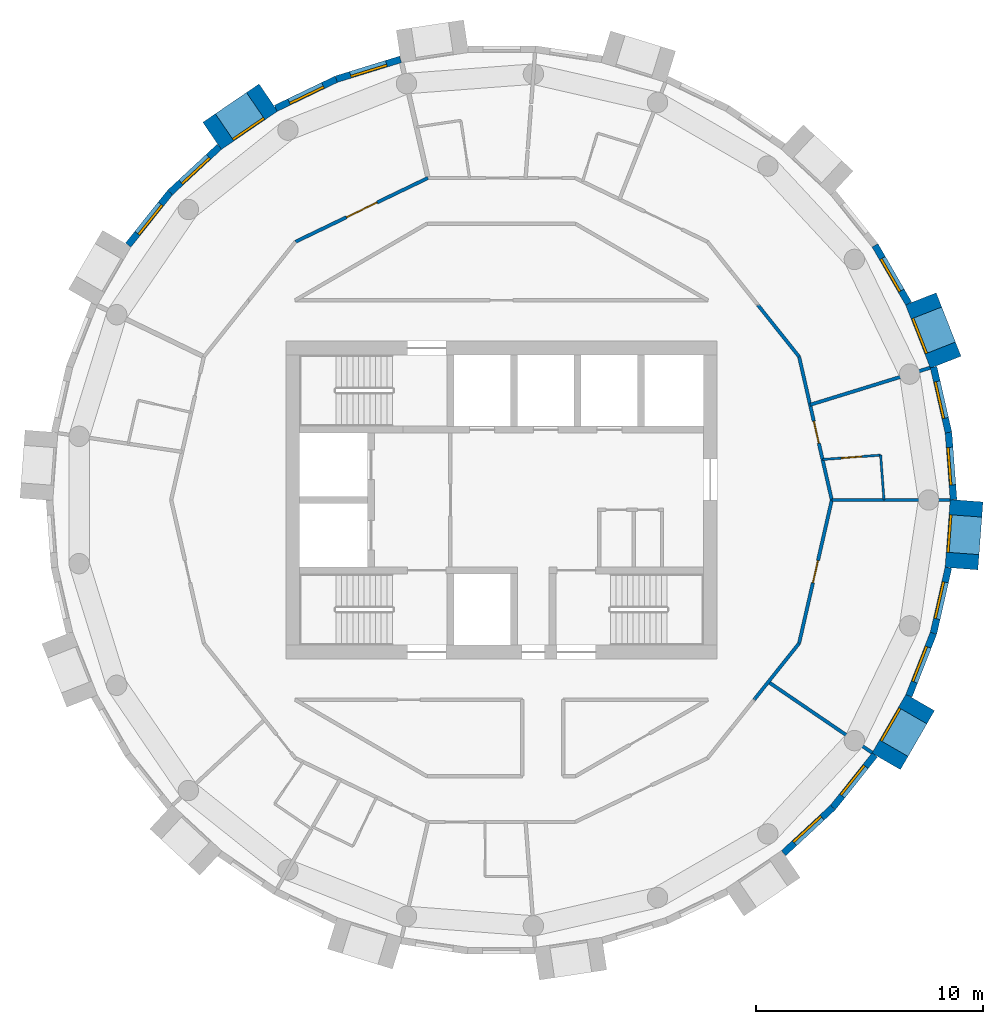
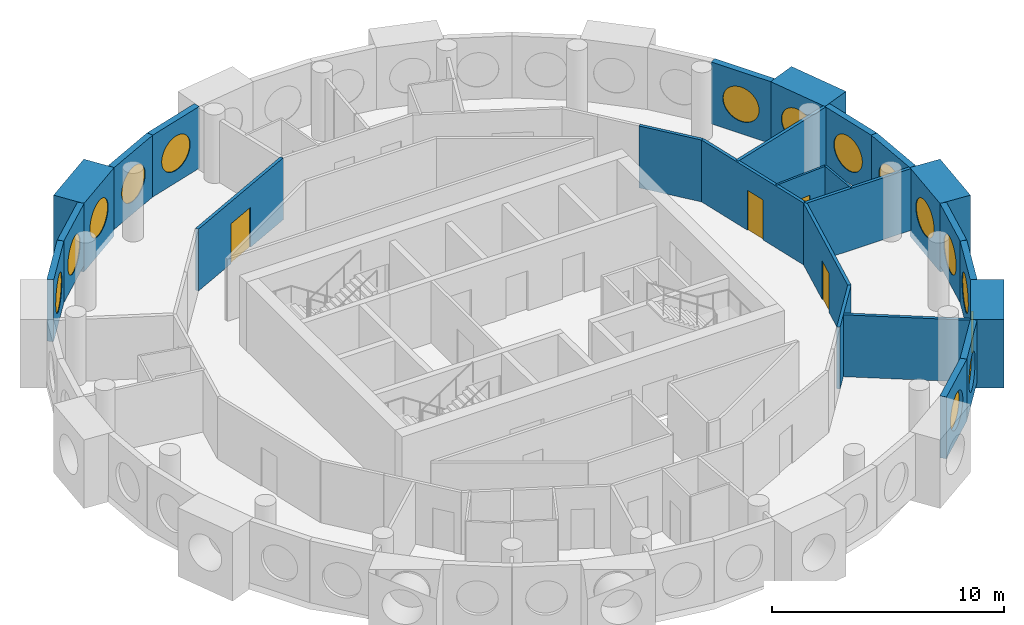
# One storey, part 10 of 13: 25 walls, 15 windows, 4 doors, 19 openings.
"""IFC4 building model written with IfcOpenShell, lengths in metres."""

import ifcopenshell
import ifcopenshell.guid

model = None  # the IFC model being written
_history = None  # IfcOwnerHistory: only IFC2X3 demands one
_inside = {}  # id of a spatial element -> (the spatial element, [elements in it])
_under = {}  # id of a project, library or spatial element -> (it, [spatial elements below it])
_declared = {}  # id of a project -> (the project, [libraries it declares])
_typed = {}  # id of a type object -> (the type object, [elements of that type])
_made_of = {}  # id of a material, layer set ... -> (it, [elements and type objects made of it])


def new_model(schema):
    """Start an empty IFC model of exactly this schema.

    Asked for "IFC4X3", IfcOpenShell would pick the latest addendum, in which some entities
    have other attributes; the version numbers below select the first issue.
    IFC2X3 requires an IfcOwnerHistory on every rooted entity: one is made here for all.
    """
    global model, _history
    if schema == "IFC4X3":
        model = ifcopenshell.file(schema_version=(4, 3, 0, 0))
    else:
        model = ifcopenshell.file(schema=schema)
    _inside.clear()
    _under.clear()
    _declared.clear()
    _typed.clear()
    _made_of.clear()
    _history = None
    if model.schema == "IFC2X3":
        org = make("IfcOrganization", Name="unknown")
        user = make(
            "IfcPersonAndOrganization",
            ThePerson=make("IfcPerson", FamilyName="unknown"),
            TheOrganization=org,
        )
        app = make(
            "IfcApplication",
            ApplicationDeveloper=org,
            Version="unknown",
            ApplicationFullName="unknown",
            ApplicationIdentifier="unknown",
        )
        _history = make(
            "IfcOwnerHistory",
            OwningUser=user,
            OwningApplication=app,
            ChangeAction="ADDED",
            CreationDate=0,
        )
    return model


def make(cls, **values):
    """One entity of the class cls with the attributes given. An attribute that is None is left unset."""
    return model.create_entity(
        cls, **{name: value for name, value in values.items() if value is not None}
    )


def rooted(cls, **values):
    """An entity with a GlobalId (a new one), such as an element, a storey or a relation."""
    return make(cls, GlobalId=ifcopenshell.guid.new(), OwnerHistory=_history, **values)


def si_unit(unit_type, name, prefix=None):
    """IfcSIUnit, for example si_unit("LENGTHUNIT", "METRE", prefix="MILLI")."""
    return make("IfcSIUnit", UnitType=unit_type, Prefix=prefix, Name=name)


def assignment(units):
    """IfcUnitAssignment: the units of a project."""
    return None if units is None else make("IfcUnitAssignment", Units=units)


def point(xyz):
    """IfcCartesianPoint."""
    return None if xyz is None else make("IfcCartesianPoint", Coordinates=xyz)


def direction(xyz):
    """IfcDirection."""
    return None if xyz is None else make("IfcDirection", DirectionRatios=xyz)


def frame(location, z_axis=None, x_axis=None):
    """IfcAxis2Placement3D, a coordinate frame: its origin and axes. An axis left out is left unset."""
    return make(
        "IfcAxis2Placement3D",
        Location=point(location),
        Axis=direction(z_axis),
        RefDirection=direction(x_axis),
    )


def frame_2d(location, x_axis=None):
    """IfcAxis2Placement2D, a coordinate frame in the plane: its origin and x axis."""
    return make(
        "IfcAxis2Placement2D", Location=point(location), RefDirection=direction(x_axis)
    )


def origin():
    """The frame at (0, 0, 0) with its axes left unset."""
    return frame((0.0, 0.0, 0.0))


def origin_2d():
    """The frame at (0, 0) in the plane with its x axis left unset."""
    return frame_2d((0.0, 0.0))


def place(relative_to, where):
    """IfcLocalPlacement: puts the frame where relative to a parent placement (None: the world)."""
    return make(
        "IfcLocalPlacement", PlacementRelTo=relative_to, RelativePlacement=where
    )


def context(
    kind, dimensions, precision=None, world=None, true_north=None, identifier=None
):
    """IfcGeometricRepresentationContext, for example the 3D "Model" context."""
    return make(
        "IfcGeometricRepresentationContext",
        ContextIdentifier=identifier,
        ContextType=kind,
        CoordinateSpaceDimension=dimensions,
        Precision=precision,
        WorldCoordinateSystem=world,
        TrueNorth=true_north,
    )


def subcontext(parent, identifier, kind, view, scale=None):
    """IfcGeometricRepresentationSubContext, for example "Body" below "Model"."""
    return make(
        "IfcGeometricRepresentationSubContext",
        ContextIdentifier=identifier,
        ContextType=kind,
        ParentContext=parent,
        TargetScale=scale,
        TargetView=view,
    )


def project(units=None, contexts=None):
    """IfcProject with its units and contexts."""
    return rooted(
        "IfcProject",
        Name="project",
        RepresentationContexts=contexts,
        UnitsInContext=assignment(units),
    )


def spatial(cls, under=None, at=None, **own):
    """A site, building, storey or space (cls), placed at a placement, below another one or the project."""
    s = rooted(cls, ObjectPlacement=at, **own)
    if under is not None:
        _under.setdefault(under.id(), (under, []))[1].append(s)
    return s


def profile(cls, at=None, kind="AREA", **sizes):
    """A parametric profile (cls). Its sizes go by their IFC names, for example OverallWidth=200.0."""
    return make(cls, ProfileType=kind, Position=at, **sizes)


def rectangle(**sizes):
    """IfcRectangleProfileDef."""
    return profile("IfcRectangleProfileDef", **sizes)


def circle(**sizes):
    """IfcCircleProfileDef."""
    return profile("IfcCircleProfileDef", **sizes)


def extrude(swept, where, along, depth):
    """IfcExtrudedAreaSolid: the profile swept, set in the frame where, extruded along a direction by depth."""
    return make(
        "IfcExtrudedAreaSolid",
        SweptArea=swept,
        Position=where,
        ExtrudedDirection=direction(along),
        Depth=depth,
    )


def shape(context_of_items, identifier, shape_type, items):
    """IfcShapeRepresentation: the items that make up one representation, for example the "Body"."""
    return make(
        "IfcShapeRepresentation",
        ContextOfItems=context_of_items,
        RepresentationIdentifier=identifier,
        RepresentationType=shape_type,
        Items=items,
    )


def material(Name=None, Category=None):
    """IfcMaterial."""
    return make("IfcMaterial", Name=Name, Category=Category)


def layer(
    of_material, thickness, ventilated=None, Name=None, Category=None, Priority=None
):
    """IfcMaterialLayer: one layer of a wall or slab, of a material (None: an air gap)."""
    return make(
        "IfcMaterialLayer",
        Material=of_material,
        LayerThickness=thickness,
        IsVentilated=ventilated,
        Name=Name,
        Category=Category,
        Priority=Priority,
    )


def layer_set(layers, Name=None):
    """IfcMaterialLayerSet."""
    return make("IfcMaterialLayerSet", MaterialLayers=layers, LayerSetName=Name)


def made_of(thing, what):
    """Note that an element or type object is made of a material, layer set ...; save() writes the relation."""
    if what is not None:
        _made_of.setdefault(what.id(), (what, []))[1].append(thing)
    return thing


def type_object(cls, material=None, **own):
    """A type object (cls), such as IfcWallType, which elements share."""
    return made_of(rooted(cls, **own), material)


def element(
    cls,
    number,
    at=None,
    inside=None,
    cuts=None,
    type_object=None,
    material=None,
    context=None,
    identifier="Body",
    shape_type=None,
    held_by="IfcProductDefinitionShape",
    body=None,
    shapes=None,
    **own,
):
    """One element of the class cls, such as IfcWall. Its Tag is "e" and its number.

    at: its placement. inside: the storey or other place that contains it. cuts: it is an
    opening in that element (IfcRelVoidsElement). A single representation is given by context,
    identifier, shape_type and body (its items); several are given by shapes. held_by: the class
    of the entity that holds the representations. save() writes the other relations.
    """
    e = rooted(cls, Tag="e%d" % number, ObjectPlacement=at, **own)
    if body is not None:
        shapes = [shape(context, identifier, shape_type, body)]
    if shapes is not None:
        e.Representation = make(held_by, Representations=shapes)
    if inside is not None:
        _inside.setdefault(inside.id(), (inside, []))[1].append(e)
    if cuts is not None:
        rooted(
            "IfcRelVoidsElement", RelatingBuildingElement=cuts, RelatedOpeningElement=e
        )
    if type_object is not None:
        _typed.setdefault(type_object.id(), (type_object, []))[1].append(e)
    return made_of(e, material)


def fill(opening, filler):
    """IfcRelFillsElement: the door or window that sits in an opening."""
    return rooted(
        "IfcRelFillsElement",
        RelatingOpeningElement=opening,
        RelatedBuildingElement=filler,
    )


def aggregate(whole, parts):
    """IfcRelAggregates: a whole, such as a stair, and the parts it consists of."""
    return rooted("IfcRelAggregates", RelatingObject=whole, RelatedObjects=parts)


def save(model, path):
    """Write the relations noted so far, then the file.

    IfcRelAggregates (storeys below a building ...), IfcRelContainedInSpatialStructure (elements
    in a storey), IfcRelDefinesByType, IfcRelAssociatesMaterial and IfcRelDeclares: one each for
    every whole, place, type object, material and project.
    """
    for whole, parts in _under.values():
        aggregate(whole, parts)
    for where, things in _inside.values():
        rooted(
            "IfcRelContainedInSpatialStructure",
            RelatedElements=things,
            RelatingStructure=where,
        )
    for kind, things in _typed.values():
        rooted("IfcRelDefinesByType", RelatedObjects=things, RelatingType=kind)
    for what, things in _made_of.values():
        rooted("IfcRelAssociatesMaterial", RelatedObjects=things, RelatingMaterial=what)
    for by, libraries in _declared.values():
        rooted("IfcRelDeclares", RelatingContext=by, RelatedDefinitions=libraries)
    model.write(path)


model = new_model("IFC4")

# Units and contexts
model_context = context("Model", 3, precision=1e-05, world=origin(), true_north=direction((0.0, 1.0)))
body_context = subcontext(model_context, "Body", "Model", "MODEL_VIEW")
ifc_project = project(units=[si_unit("LENGTHUNIT", "METRE"), si_unit("AREAUNIT", "SQUARE_METRE"), si_unit("VOLUMEUNIT", "CUBIC_METRE"), si_unit("PLANEANGLEUNIT", "RADIAN"), si_unit("MASSUNIT", "GRAM", prefix="KILO")], contexts=[model_context])

# Site, building, storey
site_placement = place(None, origin())
site = spatial("IfcSite", under=ifc_project, at=site_placement, CompositionType="ELEMENT")
building_placement = place(site_placement, origin())
building = spatial("IfcBuilding", under=site, at=building_placement, Name="Tracery Tower", CompositionType="ELEMENT")
storey_placement = place(building_placement, frame((0.0, 0.0, 294.60009765625)))
storey = spatial("IfcBuildingStorey", under=building, at=storey_placement, Name="L76", CompositionType="ELEMENT", Elevation=294.60009765625)

# Wall, opening, window
ifc_material_1 = material(Name="Precast concrete C50/60", Category="concrete")
ifc_layer_1 = layer(ifc_material_1, 1.449951171875)
ifc_layer_set_1 = layer_set([ifc_layer_1], Name="Deep-set bay unit 3000 x 3600, slab edge 350")
wall_type_1 = type_object("IfcWallType", Name="Deep-set bay unit 3000 x 3600, slab edge 350", PredefinedType="ELEMENTEDWALL", material=ifc_layer_set_1)
wall_1_placement = place(storey_placement, frame((19.576171875, 6.071533203125, -0.35009765625), z_axis=(0.0, 0.0, 1.0), x_axis=(-0.36537792632, 0.93085926485, 0.0)))
wall_1 = element("IfcWall", 1, at=wall_1_placement, inside=storey, type_object=wall_type_1, Name="Deep-set bay unit 3 at L76", PredefinedType="ELEMENTEDWALL", context=body_context, shape_type="SweptSolid", body=[
    extrude(rectangle(XDim=3.000244140625, YDim=1.449951171875, at=frame_2d((1.5, 0.0))), origin(), (0.0, 0.0, 1.0), 3.60009765625),
])
opening_1_placement = place(wall_1_placement, frame((1.5, 0.0, 1.89990234375)))
opening_1 = element("IfcOpeningElement", 2, at=opening_1_placement, cuts=wall_1, Name="Opening WN1", PredefinedType="OPENING", context=body_context, shape_type="SweptSolid", body=[
    extrude(circle(Radius=0.9000244140625, at=origin_2d()), frame((0.0, 0.73486328125, 0.0), z_axis=(0.0, -1.0, 0.0), x_axis=(1.0, 0.0, 0.0)), (0.0, 0.0, 1.0), 1.469970703125),
])
ifc_material_2 = material(Name="Aluminium frame with tinted double glazing", Category="aluminium")
window_type = type_object("IfcWindowType", Name="Round window 1800", PartitioningType="SINGLE_PANEL", PredefinedType="WINDOW", material=ifc_material_2)
window_1_placement = place(opening_1_placement, origin())
window_1 = element("IfcWindow", 3, at=window_1_placement, inside=storey, type_object=window_type, Name="Round window 3 at L76", OverallHeight=1.800048828125, OverallWidth=1.800048828125, PartitioningType="SINGLE_PANEL", PredefinedType="WINDOW", context=body_context, shape_type="SweptSolid", body=[
    extrude(circle(Radius=0.9000244140625, at=origin_2d()), frame((0.0, 0.69482421875, 0.0), z_axis=(0.0, -1.0, 0.0), x_axis=(1.0, 0.0, 0.0)), (0.0, 0.0, 1.0), 0.10009765625),
])
fill(opening_1, window_1)

wall_2_placement = place(storey_placement, frame((-10.275390625, 17.734130859375, -0.35009765625), z_axis=(0.0, 0.0, 1.0), x_axis=(-0.826246281157, -0.563309047392, 0.0)))
wall_2 = element("IfcWall", 4, at=wall_2_placement, inside=storey, type_object=wall_type_1, Name="Deep-set bay unit 15 at L76", PredefinedType="ELEMENTEDWALL", context=body_context, shape_type="SweptSolid", body=[
    extrude(rectangle(XDim=3.0, YDim=1.449951171875, at=frame_2d((1.5, 0.0))), origin(), (0.0, 0.0, 1.0), 3.60009765625),
])
opening_2_placement = place(wall_2_placement, frame((1.5, 0.0, 1.89990234375)))
opening_2 = element("IfcOpeningElement", 5, at=opening_2_placement, cuts=wall_2, Name="Opening WN1", PredefinedType="OPENING", context=body_context, shape_type="SweptSolid", body=[
    extrude(circle(Radius=0.9000244140625, at=origin_2d()), frame((0.0, 0.73486328125, 0.0), z_axis=(0.0, -1.0, 0.0), x_axis=(1.0, 0.0, 0.0)), (0.0, 0.0, 1.0), 1.469970703125),
])
window_2_placement = place(opening_2_placement, origin())
window_2 = element("IfcWindow", 6, at=window_2_placement, inside=storey, type_object=window_type, Name="Round window 15 at L76", OverallHeight=1.800048828125, OverallWidth=1.800048828125, PartitioningType="SINGLE_PANEL", PredefinedType="WINDOW", context=body_context, shape_type="SweptSolid", body=[
    extrude(circle(Radius=0.9000244140625, at=origin_2d()), frame((0.0, 0.69482421875, 0.0), z_axis=(0.0, -1.0, 0.0), x_axis=(1.0, 0.0, 0.0)), (0.0, 0.0, 1.0), 0.10009765625),
])
fill(opening_2, window_2)

wall_3_placement = place(storey_placement, frame((16.952392578125, -11.51953125, -0.35009765625), z_axis=(0.0, 0.0, 1.0), x_axis=(0.499990139034, 0.866031096941, 0.0)))
wall_3 = element("IfcWall", 7, at=wall_3_placement, inside=storey, type_object=wall_type_1, Name="Deep-set bay unit 39 at L76", PredefinedType="ELEMENTEDWALL", context=body_context, shape_type="SweptSolid", body=[
    extrude(rectangle(XDim=3.0, YDim=1.449951171875, at=frame_2d((1.5, 0.0))), origin(), (0.0, 0.0, 1.0), 3.60009765625),
])
opening_3_placement = place(wall_3_placement, frame((1.5, 0.0, 1.89990234375)))
opening_3 = element("IfcOpeningElement", 8, at=opening_3_placement, cuts=wall_3, Name="Opening WN1", PredefinedType="OPENING", context=body_context, shape_type="SweptSolid", body=[
    extrude(circle(Radius=0.9000244140625, at=origin_2d()), frame((0.0, 0.73486328125, 0.0), z_axis=(0.0, -1.0, 0.0), x_axis=(1.0, 0.0, 0.0)), (0.0, 0.0, 1.0), 1.469970703125),
])
window_3_placement = place(opening_3_placement, origin())
window_3 = element("IfcWindow", 9, at=window_3_placement, inside=storey, type_object=window_type, Name="Round window 39 at L76", OverallHeight=1.800048828125, OverallWidth=1.800048828125, PartitioningType="SINGLE_PANEL", PredefinedType="WINDOW", context=body_context, shape_type="SweptSolid", body=[
    extrude(circle(Radius=0.9000244140625, at=origin_2d()), frame((0.0, 0.69482421875, 0.0), z_axis=(0.0, -1.0, 0.0), x_axis=(1.0, 0.0, 0.0)), (0.0, 0.0, 1.0), 0.10009765625),
])
fill(opening_3, window_3)

wall_4_placement = place(storey_placement, frame((20.271728515625, -3.0234375, -0.35009765625), z_axis=(0.0, 0.0, 1.0), x_axis=(0.074785902127, 0.997199613339, 0.0)))
wall_4 = element("IfcWall", 10, at=wall_4_placement, inside=storey, type_object=wall_type_1, Name="Deep-set bay unit 42 at L76", PredefinedType="ELEMENTEDWALL", context=body_context, shape_type="SweptSolid", body=[
    extrude(rectangle(XDim=3.0, YDim=1.449951171875, at=frame_2d((1.5, 0.0))), origin(), (0.0, 0.0, 1.0), 3.60009765625),
])
opening_4_placement = place(wall_4_placement, frame((1.5, 0.0, 1.89990234375)))
opening_4 = element("IfcOpeningElement", 11, at=opening_4_placement, cuts=wall_4, Name="Opening WN1", PredefinedType="OPENING", context=body_context, shape_type="SweptSolid", body=[
    extrude(circle(Radius=0.9000244140625, at=origin_2d()), frame((0.0, 0.73486328125, 0.0), z_axis=(0.0, -1.0, 0.0), x_axis=(1.0, 0.0, 0.0)), (0.0, 0.0, 1.0), 1.469970703125),
])
window_4_placement = place(opening_4_placement, origin())
window_4 = element("IfcWindow", 12, at=window_4_placement, inside=storey, type_object=window_type, Name="Round window 42 at L76", OverallHeight=1.800048828125, OverallWidth=1.800048828125, PartitioningType="SINGLE_PANEL", PredefinedType="WINDOW", context=body_context, shape_type="SweptSolid", body=[
    extrude(circle(Radius=0.9000244140625, at=origin_2d()), frame((0.0, 0.69482421875, 0.0), z_axis=(0.0, -1.0, 0.0), x_axis=(1.0, 0.0, 0.0)), (0.0, 0.0, 1.0), 0.10009765625),
])
fill(opening_4, window_4)

ifc_material_3 = material(Name="Precast concrete C50/60", Category="concrete")
ifc_layer_2 = layer(ifc_material_3, 0.300048828125)
ifc_layer_set_2 = layer_set([ifc_layer_2], Name="Facade panel 3000 x 3250")
wall_type_2 = type_object("IfcWallType", Name="Facade panel 3000 x 3250", PredefinedType="SOLIDWALL", material=ifc_layer_set_2)
wall_5_placement = place(storey_placement, frame((19.920654296875, 0.01513671875, 0.0), z_axis=(0.0, 0.0, 1.0), x_axis=(-0.07474897196, 0.997202382263, 0.0)))
wall_5 = element("IfcWall", 13, at=wall_5_placement, inside=storey, type_object=wall_type_2, Name="Facade panel 1 at L76", PredefinedType="SOLIDWALL", context=body_context, shape_type="SweptSolid", body=[
    extrude(rectangle(XDim=2.96240234375, YDim=0.300048828125, at=frame_2d((1.481201171875, 0.0))), origin(), (0.0, 0.0, 1.0), 3.25),
])
opening_5_placement = place(wall_5_placement, frame((1.48095703125, 0.0, 1.5498046875)))
opening_5 = element("IfcOpeningElement", 14, at=opening_5_placement, cuts=wall_5, Name="Opening WN1", PredefinedType="OPENING", context=body_context, shape_type="SweptSolid", body=[
    extrude(circle(Radius=0.9000244140625, at=origin_2d()), frame((0.0, 0.159912109375, 0.0), z_axis=(0.0, -1.0, 0.0), x_axis=(1.0, 0.0, 0.0)), (0.0, 0.0, 1.0), 0.320068359375),
])
window_5_placement = place(opening_5_placement, origin())
window_5 = element("IfcWindow", 15, at=window_5_placement, inside=storey, type_object=window_type, Name="Round window 1 at L76", OverallHeight=1.800048828125, OverallWidth=1.800048828125, PartitioningType="SINGLE_PANEL", PredefinedType="WINDOW", context=body_context, shape_type="SweptSolid", body=[
    extrude(circle(Radius=0.9000244140625, at=origin_2d()), frame((0.0, 0.1201171875, 0.0), z_axis=(0.0, -1.0, 0.0), x_axis=(1.0, 0.0, 0.0)), (0.0, 0.0, 1.0), 0.10009765625),
])
fill(opening_5, window_5)

wall_6_placement = place(storey_placement, frame((19.69921875, 2.96923828125, 0.0), z_axis=(0.0, 0.0, 1.0), x_axis=(-0.222529389789, 0.974925982155, 0.0)))
wall_6 = element("IfcWall", 16, at=wall_6_placement, inside=storey, type_object=wall_type_2, Name="Facade panel 2 at L76", PredefinedType="SOLIDWALL", context=body_context, shape_type="SweptSolid", body=[
    extrude(rectangle(XDim=2.962158203125, YDim=0.300048828125, at=frame_2d((1.48095703125, 0.0))), origin(), (0.0, 0.0, 1.0), 3.25),
])
opening_6_placement = place(wall_6_placement, frame((1.48095703125, 0.0, 1.5498046875)))
opening_6 = element("IfcOpeningElement", 17, at=opening_6_placement, cuts=wall_6, Name="Opening WN1", PredefinedType="OPENING", context=body_context, shape_type="SweptSolid", body=[
    extrude(circle(Radius=0.9000244140625, at=origin_2d()), frame((0.0, 0.159912109375, 0.0), z_axis=(0.0, -1.0, 0.0), x_axis=(1.0, 0.0, 0.0)), (0.0, 0.0, 1.0), 0.320068359375),
])
window_6_placement = place(opening_6_placement, origin())
window_6 = element("IfcWindow", 18, at=window_6_placement, inside=storey, type_object=window_type, Name="Round window 2 at L76", OverallHeight=1.800048828125, OverallWidth=1.800048828125, PartitioningType="SINGLE_PANEL", PredefinedType="WINDOW", context=body_context, shape_type="SweptSolid", body=[
    extrude(circle(Radius=0.9000244140625, at=origin_2d()), frame((0.0, 0.1201171875, 0.0), z_axis=(0.0, -1.0, 0.0), x_axis=(1.0, 0.0, 0.0)), (0.0, 0.0, 1.0), 0.10009765625),
])
fill(opening_6, window_6)

wall_7_placement = place(storey_placement, frame((17.941162109375, 8.656982421875, 0.0), z_axis=(0.0, 0.0, 1.0), x_axis=(-0.499950756475, 0.86605383268, 0.0)))
wall_7 = element("IfcWall", 19, at=wall_7_placement, inside=storey, type_object=wall_type_2, Name="Facade panel 4 at L76", PredefinedType="SOLIDWALL", context=body_context, shape_type="SweptSolid", body=[
    extrude(rectangle(XDim=2.962158203125, YDim=0.300048828125, at=frame_2d((1.48095703125, 0.0))), origin(), (0.0, 0.0, 1.0), 3.25),
])
opening_7_placement = place(wall_7_placement, frame((1.48095703125, 0.0, 1.5498046875)))
opening_7 = element("IfcOpeningElement", 20, at=opening_7_placement, cuts=wall_7, Name="Opening WN1", PredefinedType="OPENING", context=body_context, shape_type="SweptSolid", body=[
    extrude(circle(Radius=0.9000244140625, at=origin_2d()), frame((0.0, 0.159912109375, 0.0), z_axis=(0.0, -1.0, 0.0), x_axis=(1.0, 0.0, 0.0)), (0.0, 0.0, 1.0), 0.320068359375),
])
window_7_placement = place(opening_7_placement, origin())
window_7 = element("IfcWindow", 21, at=window_7_placement, inside=storey, type_object=window_type, Name="Round window 4 at L76", OverallHeight=1.800048828125, OverallWidth=1.800048828125, PartitioningType="SINGLE_PANEL", PredefinedType="WINDOW", context=body_context, shape_type="SweptSolid", body=[
    extrude(circle(Radius=0.9000244140625, at=origin_2d()), frame((0.0, 0.1201171875, 0.0), z_axis=(0.0, -1.0, 0.0), x_axis=(1.0, 0.0, 0.0)), (0.0, 0.0, 1.0), 0.10009765625),
])
fill(opening_7, window_7)

wall_8_placement = place(storey_placement, frame((-4.447509765625, 19.417724609375, 0.0), z_axis=(0.0, 0.0, 1.0), x_axis=(-0.95558635705, -0.294711238707, 0.0)))
wall_8 = element("IfcWall", 22, at=wall_8_placement, inside=storey, type_object=wall_type_2, Name="Facade panel 13 at L76", PredefinedType="SOLIDWALL", context=body_context, shape_type="SweptSolid", body=[
    extrude(rectangle(XDim=2.96240234375, YDim=0.300048828125, at=frame_2d((1.481201171875, 0.0))), origin(), (0.0, 0.0, 1.0), 3.25),
])
opening_8_placement = place(wall_8_placement, frame((1.48095703125, 0.0, 1.5498046875)))
opening_8 = element("IfcOpeningElement", 23, at=opening_8_placement, cuts=wall_8, Name="Opening WN1", PredefinedType="OPENING", context=body_context, shape_type="SweptSolid", body=[
    extrude(circle(Radius=0.9000244140625, at=origin_2d()), frame((0.0, 0.159912109375, 0.0), z_axis=(0.0, -1.0, 0.0), x_axis=(1.0, 0.0, 0.0)), (0.0, 0.0, 1.0), 0.320068359375),
])
window_8_placement = place(opening_8_placement, origin())
window_8 = element("IfcWindow", 24, at=window_8_placement, inside=storey, type_object=window_type, Name="Round window 13 at L76", OverallHeight=1.800048828125, OverallWidth=1.800048828125, PartitioningType="SINGLE_PANEL", PredefinedType="WINDOW", context=body_context, shape_type="SweptSolid", body=[
    extrude(circle(Radius=0.9000244140625, at=origin_2d()), frame((0.0, 0.1201171875, 0.0), z_axis=(0.0, -1.0, 0.0), x_axis=(1.0, 0.0, 0.0)), (0.0, 0.0, 1.0), 0.10009765625),
])
fill(opening_8, window_8)

wall_9_placement = place(storey_placement, frame((-7.2783203125, 18.544677734375, 0.0), z_axis=(0.0, 0.0, 1.0), x_axis=(-0.900939615635, -0.433944476838, 0.0)))
wall_9 = element("IfcWall", 25, at=wall_9_placement, inside=storey, type_object=wall_type_2, Name="Facade panel 14 at L76", PredefinedType="SOLIDWALL", context=body_context, shape_type="SweptSolid", body=[
    extrude(rectangle(XDim=2.962158203125, YDim=0.300048828125, at=frame_2d((1.48095703125, 0.0))), origin(), (0.0, 0.0, 1.0), 3.25),
])
opening_9_placement = place(wall_9_placement, frame((1.48095703125, 0.0, 1.5498046875)))
opening_9 = element("IfcOpeningElement", 26, at=opening_9_placement, cuts=wall_9, Name="Opening WN1", PredefinedType="OPENING", context=body_context, shape_type="SweptSolid", body=[
    extrude(circle(Radius=0.9000244140625, at=origin_2d()), frame((0.0, 0.159912109375, 0.0), z_axis=(0.0, -1.0, 0.0), x_axis=(1.0, 0.0, 0.0)), (0.0, 0.0, 1.0), 0.320068359375),
])
window_9_placement = place(opening_9_placement, origin())
window_9 = element("IfcWindow", 27, at=window_9_placement, inside=storey, type_object=window_type, Name="Round window 14 at L76", OverallHeight=1.800048828125, OverallWidth=1.800048828125, PartitioningType="SINGLE_PANEL", PredefinedType="WINDOW", context=body_context, shape_type="SweptSolid", body=[
    extrude(circle(Radius=0.9000244140625, at=origin_2d()), frame((0.0, 0.1201171875, 0.0), z_axis=(0.0, -1.0, 0.0), x_axis=(1.0, 0.0, 0.0)), (0.0, 0.0, 1.0), 0.10009765625),
])
fill(opening_9, window_9)

wall_10_placement = place(storey_placement, frame((-12.43212890625, 15.565185546875, 0.0), z_axis=(0.0, 0.0, 1.0), x_axis=(-0.733066412643, -0.680157066165, 0.0)))
wall_10 = element("IfcWall", 28, at=wall_10_placement, inside=storey, type_object=wall_type_2, Name="Facade panel 16 at L76", PredefinedType="SOLIDWALL", context=body_context, shape_type="SweptSolid", body=[
    extrude(rectangle(XDim=2.96240234375, YDim=0.300048828125, at=frame_2d((1.481201171875, 0.0))), origin(), (0.0, 0.0, 1.0), 3.25),
])
opening_10_placement = place(wall_10_placement, frame((1.48095703125, 0.0, 1.5498046875)))
opening_10 = element("IfcOpeningElement", 29, at=opening_10_placement, cuts=wall_10, Name="Opening WN1", PredefinedType="OPENING", context=body_context, shape_type="SweptSolid", body=[
    extrude(circle(Radius=0.9000244140625, at=origin_2d()), frame((0.0, 0.159912109375, 0.0), z_axis=(0.0, -1.0, 0.0), x_axis=(1.0, 0.0, 0.0)), (0.0, 0.0, 1.0), 0.320068359375),
])
window_10_placement = place(opening_10_placement, origin())
window_10 = element("IfcWindow", 30, at=window_10_placement, inside=storey, type_object=window_type, Name="Round window 16 at L76", OverallHeight=1.800048828125, OverallWidth=1.800048828125, PartitioningType="SINGLE_PANEL", PredefinedType="WINDOW", context=body_context, shape_type="SweptSolid", body=[
    extrude(circle(Radius=0.9000244140625, at=origin_2d()), frame((0.0, 0.1201171875, 0.0), z_axis=(0.0, -1.0, 0.0), x_axis=(1.0, 0.0, 0.0)), (0.0, 0.0, 1.0), 0.10009765625),
])
fill(opening_10, window_10)

wall_11_placement = place(storey_placement, frame((-14.603759765625, 13.55029296875, 0.0), z_axis=(0.0, 0.0, 1.0), x_axis=(-0.623498236992, -0.781824755599, 0.0)))
wall_11 = element("IfcWall", 31, at=wall_11_placement, inside=storey, type_object=wall_type_2, Name="Facade panel 17 at L76", PredefinedType="SOLIDWALL", context=body_context, shape_type="SweptSolid", body=[
    extrude(rectangle(XDim=2.962158203125, YDim=0.300048828125, at=frame_2d((1.48095703125, 0.0))), origin(), (0.0, 0.0, 1.0), 3.25),
])
opening_11_placement = place(wall_11_placement, frame((1.48095703125, 0.0, 1.5498046875)))
opening_11 = element("IfcOpeningElement", 32, at=opening_11_placement, cuts=wall_11, Name="Opening WN1", PredefinedType="OPENING", context=body_context, shape_type="SweptSolid", body=[
    extrude(circle(Radius=0.9000244140625, at=origin_2d()), frame((0.0, 0.159912109375, 0.0), z_axis=(0.0, -1.0, 0.0), x_axis=(1.0, 0.0, 0.0)), (0.0, 0.0, 1.0), 0.320068359375),
])
window_11_placement = place(opening_11_placement, origin())
window_11 = element("IfcWindow", 33, at=window_11_placement, inside=storey, type_object=window_type, Name="Round window 17 at L76", OverallHeight=1.800048828125, OverallWidth=1.800048828125, PartitioningType="SINGLE_PANEL", PredefinedType="WINDOW", context=body_context, shape_type="SweptSolid", body=[
    extrude(circle(Radius=0.9000244140625, at=origin_2d()), frame((0.0, 0.1201171875, 0.0), z_axis=(0.0, -1.0, 0.0), x_axis=(1.0, 0.0, 0.0)), (0.0, 0.0, 1.0), 0.10009765625),
])
fill(opening_11, window_11)

wall_12_placement = place(storey_placement, frame((12.43212890625, -15.565185546875, 0.0), z_axis=(0.0, 0.0, 1.0), x_axis=(0.733066412643, 0.680157066165, 0.0)))
wall_12 = element("IfcWall", 34, at=wall_12_placement, inside=storey, type_object=wall_type_2, Name="Facade panel 37 at L76", PredefinedType="SOLIDWALL", context=body_context, shape_type="SweptSolid", body=[
    extrude(rectangle(XDim=2.96240234375, YDim=0.300048828125, at=frame_2d((1.481201171875, 0.0))), origin(), (0.0, 0.0, 1.0), 3.25),
])
opening_12_placement = place(wall_12_placement, frame((1.48095703125, 0.0, 1.5498046875)))
opening_12 = element("IfcOpeningElement", 35, at=opening_12_placement, cuts=wall_12, Name="Opening WN1", PredefinedType="OPENING", context=body_context, shape_type="SweptSolid", body=[
    extrude(circle(Radius=0.9000244140625, at=origin_2d()), frame((0.0, 0.159912109375, 0.0), z_axis=(0.0, -1.0, 0.0), x_axis=(1.0, 0.0, 0.0)), (0.0, 0.0, 1.0), 0.320068359375),
])
window_12_placement = place(opening_12_placement, origin())
window_12 = element("IfcWindow", 36, at=window_12_placement, inside=storey, type_object=window_type, Name="Round window 37 at L76", OverallHeight=1.800048828125, OverallWidth=1.800048828125, PartitioningType="SINGLE_PANEL", PredefinedType="WINDOW", context=body_context, shape_type="SweptSolid", body=[
    extrude(circle(Radius=0.9000244140625, at=origin_2d()), frame((0.0, 0.1201171875, 0.0), z_axis=(0.0, -1.0, 0.0), x_axis=(1.0, 0.0, 0.0)), (0.0, 0.0, 1.0), 0.10009765625),
])
fill(opening_12, window_12)

wall_13_placement = place(storey_placement, frame((14.603759765625, -13.55029296875, 0.0), z_axis=(0.0, 0.0, 1.0), x_axis=(0.623498236992, 0.781824755599, 0.0)))
wall_13 = element("IfcWall", 37, at=wall_13_placement, inside=storey, type_object=wall_type_2, Name="Facade panel 38 at L76", PredefinedType="SOLIDWALL", context=body_context, shape_type="SweptSolid", body=[
    extrude(rectangle(XDim=2.962158203125, YDim=0.300048828125, at=frame_2d((1.48095703125, 0.0))), origin(), (0.0, 0.0, 1.0), 3.25),
])
opening_13_placement = place(wall_13_placement, frame((1.48095703125, 0.0, 1.5498046875)))
opening_13 = element("IfcOpeningElement", 38, at=opening_13_placement, cuts=wall_13, Name="Opening WN1", PredefinedType="OPENING", context=body_context, shape_type="SweptSolid", body=[
    extrude(circle(Radius=0.9000244140625, at=origin_2d()), frame((0.0, 0.159912109375, 0.0), z_axis=(0.0, -1.0, 0.0), x_axis=(1.0, 0.0, 0.0)), (0.0, 0.0, 1.0), 0.320068359375),
])
window_13_placement = place(opening_13_placement, origin())
window_13 = element("IfcWindow", 39, at=window_13_placement, inside=storey, type_object=window_type, Name="Round window 38 at L76", OverallHeight=1.800048828125, OverallWidth=1.800048828125, PartitioningType="SINGLE_PANEL", PredefinedType="WINDOW", context=body_context, shape_type="SweptSolid", body=[
    extrude(circle(Radius=0.9000244140625, at=origin_2d()), frame((0.0, 0.1201171875, 0.0), z_axis=(0.0, -1.0, 0.0), x_axis=(1.0, 0.0, 0.0)), (0.0, 0.0, 1.0), 0.10009765625),
])
fill(opening_13, window_13)

wall_14_placement = place(storey_placement, frame((17.95458984375, -8.62939453125, 0.0), z_axis=(0.0, 0.0, 1.0), x_axis=(0.36530043032, 0.930889679612, 0.0)))
wall_14 = element("IfcWall", 40, at=wall_14_placement, inside=storey, type_object=wall_type_2, Name="Facade panel 40 at L76", PredefinedType="SOLIDWALL", context=body_context, shape_type="SweptSolid", body=[
    extrude(rectangle(XDim=2.9619140625, YDim=0.300048828125, at=frame_2d((1.48095703125, 0.0))), origin(), (0.0, 0.0, 1.0), 3.25),
])
opening_14_placement = place(wall_14_placement, frame((1.48095703125, 0.0, 1.5498046875)))
opening_14 = element("IfcOpeningElement", 41, at=opening_14_placement, cuts=wall_14, Name="Opening WN1", PredefinedType="OPENING", context=body_context, shape_type="SweptSolid", body=[
    extrude(circle(Radius=0.9000244140625, at=origin_2d()), frame((0.0, 0.159912109375, 0.0), z_axis=(0.0, -1.0, 0.0), x_axis=(1.0, 0.0, 0.0)), (0.0, 0.0, 1.0), 0.320068359375),
])
window_14_placement = place(opening_14_placement, origin())
window_14 = element("IfcWindow", 42, at=window_14_placement, inside=storey, type_object=window_type, Name="Round window 40 at L76", OverallHeight=1.800048828125, OverallWidth=1.800048828125, PartitioningType="SINGLE_PANEL", PredefinedType="WINDOW", context=body_context, shape_type="SweptSolid", body=[
    extrude(circle(Radius=0.9000244140625, at=origin_2d()), frame((0.0, 0.1201171875, 0.0), z_axis=(0.0, -1.0, 0.0), x_axis=(1.0, 0.0, 0.0)), (0.0, 0.0, 1.0), 0.10009765625),
])
fill(opening_14, window_14)

wall_15_placement = place(storey_placement, frame((19.03662109375, -5.8720703125, 0.0), z_axis=(0.0, 0.0, 1.0), x_axis=(0.222529389789, 0.974925982155, 0.0)))
wall_15 = element("IfcWall", 43, at=wall_15_placement, inside=storey, type_object=wall_type_2, Name="Facade panel 41 at L76", PredefinedType="SOLIDWALL", context=body_context, shape_type="SweptSolid", body=[
    extrude(rectangle(XDim=2.962158203125, YDim=0.300048828125, at=frame_2d((1.48095703125, 0.0))), origin(), (0.0, 0.0, 1.0), 3.25),
])
opening_15_placement = place(wall_15_placement, frame((1.48095703125, 0.0, 1.5498046875)))
opening_15 = element("IfcOpeningElement", 44, at=opening_15_placement, cuts=wall_15, Name="Opening WN1", PredefinedType="OPENING", context=body_context, shape_type="SweptSolid", body=[
    extrude(circle(Radius=0.9000244140625, at=origin_2d()), frame((0.0, 0.159912109375, 0.0), z_axis=(0.0, -1.0, 0.0), x_axis=(1.0, 0.0, 0.0)), (0.0, 0.0, 1.0), 0.320068359375),
])
window_15_placement = place(opening_15_placement, origin())
window_15 = element("IfcWindow", 45, at=window_15_placement, inside=storey, type_object=window_type, Name="Round window 41 at L76", OverallHeight=1.800048828125, OverallWidth=1.800048828125, PartitioningType="SINGLE_PANEL", PredefinedType="WINDOW", context=body_context, shape_type="SweptSolid", body=[
    extrude(circle(Radius=0.9000244140625, at=origin_2d()), frame((0.0, 0.1201171875, 0.0), z_axis=(0.0, -1.0, 0.0), x_axis=(1.0, 0.0, 0.0)), (0.0, 0.0, 1.0), 0.10009765625),
])
fill(opening_15, window_15)

# Wall
ifc_material_4 = material(Name="Plasterboard on steel studs", Category="steel")
ifc_layer_3 = layer(ifc_material_4, 0.10009765625)
ifc_layer_set_3 = layer_set([ifc_layer_3], Name="Partition 100 wet wall")
wall_type_3 = type_object("IfcWallType", Name="Partition 100 wet wall", PredefinedType="PARTITIONING", material=ifc_layer_set_3)
wall_16_placement = place(storey_placement, frame((16.7080078125, 1.97705078125, 0.0), z_axis=(0.0, 0.0, 1.0), x_axis=(0.074624634103, -0.997211694669, 0.0)))
element("IfcWall", 46, at=wall_16_placement, inside=storey, type_object=wall_type_3, Name="Wet wall RC7-043", PredefinedType="PARTITIONING", context=body_context, shape_type="SweptSolid", body=[
    extrude(rectangle(XDim=1.982666015625, YDim=0.10009765625, at=frame_2d((0.9912109375, 0.0))), origin(), (0.0, 0.0, 1.0), 3.25),
])

# Wall, opening, door
wall_17_placement = place(storey_placement, frame((14.14892578125, 1.784912109375, 0.0), z_axis=(0.0, 0.0, 1.0), x_axis=(0.997193275785, 0.074870359477, 0.0)))
wall_17 = element("IfcWall", 47, at=wall_17_placement, inside=storey, type_object=wall_type_3, Name="Wet wall RC7-044", PredefinedType="PARTITIONING", context=body_context, shape_type="SweptSolid", body=[
    extrude(rectangle(XDim=2.56640625, YDim=0.10009765625, at=frame_2d((1.283203125, 0.0))), origin(), (0.0, 0.0, 1.0), 3.25),
])
opening_16_placement = place(wall_17_placement, frame((0.833251953125, 0.0, 0.0)))
opening_16 = element("IfcOpeningElement", 48, at=opening_16_placement, cuts=wall_17, Name="Opening RC7-04", PredefinedType="OPENING", context=body_context, shape_type="SweptSolid", body=[
    extrude(rectangle(XDim=0.89990234375, YDim=2.0400390625, at=frame_2d((0.449951171875, 1.02001953125))), frame((0.0, 0.050048828125, 0.0), z_axis=(0.0, -1.0, 0.0), x_axis=(1.0, 0.0, 0.0)), (0.0, 0.0, 1.0), 0.10009765625),
])
ifc_material_5 = material(Name="Timber door leaf", Category="wood")
door_type_1 = type_object("IfcDoorType", Name="Door en-suite 900", OperationType="NOTDEFINED", PredefinedType="DOOR", material=ifc_material_5)
door_1_placement = place(opening_16_placement, origin())
door_1 = element("IfcDoor", 49, at=door_1_placement, inside=storey, type_object=door_type_1, Name="En-suite door RC7-04", OperationType="SINGLE_SWING_LEFT", OverallHeight=2.0400390625, OverallWidth=0.89990234375, PredefinedType="DOOR", context=body_context, shape_type="SweptSolid", body=[
    extrude(rectangle(XDim=0.89990234375, YDim=2.0400390625, at=frame_2d((0.449951171875, 1.02001953125))), frame((0.0, 0.02490234375, 0.0), z_axis=(0.0, -1.0, 0.0), x_axis=(1.0, 0.0, 0.0)), (0.0, 0.0, 1.0), 0.050048828125),
])
fill(opening_16, door_1)

# Walls
ifc_material_6 = material(Name="Plasterboard on steel studs", Category="steel")
ifc_layer_4 = layer(ifc_material_6, 0.14990234375)
ifc_layer_set_4 = layer_set([ifc_layer_4], Name="Partition 150 acoustic unit wall")
wall_type_4 = type_object("IfcWallType", Name="Partition 150 acoustic unit wall", PredefinedType="PARTITIONING", material=ifc_layer_set_4)
wall_18_placement = place(storey_placement, frame((13.59912109375, 4.195068359375, 0.0), z_axis=(0.0, 0.0, 1.0), x_axis=(0.955510861731, 0.294955917239, 0.0)))
element("IfcWall", 50, at=wall_18_placement, inside=storey, type_object=wall_type_4, Name="Unit wall RC7-045", PredefinedType="PARTITIONING", context=body_context, shape_type="SweptSolid", body=[
    extrude(rectangle(XDim=5.5400390625, YDim=0.14990234375, at=frame_2d((2.77001953125, 0.0))), origin(), (0.0, 0.0, 1.0), 3.25),
])
wall_19_placement = place(storey_placement, frame((14.556884765625, 0.0, 0.0), z_axis=(0.0, 0.0, 1.0), x_axis=(1.0, 0.0, 0.0)))
element("IfcWall", 51, at=wall_19_placement, inside=storey, type_object=wall_type_4, Name="Unit wall RC7-046", PredefinedType="PARTITIONING", context=body_context, shape_type="SweptSolid", body=[
    extrude(rectangle(XDim=5.214111328125, YDim=0.14990234375, at=frame_2d((2.60693359375, 0.0))), origin(), (0.0, 0.0, 1.0), 3.25),
])
wall_20_placement = place(storey_placement, frame((11.759033203125, -8.01708984375, 0.0), z_axis=(0.0, 0.0, 1.0), x_axis=(0.826207761897, -0.563365542238, 0.0)))
element("IfcWall", 52, at=wall_20_placement, inside=storey, type_object=wall_type_4, Name="Unit wall RC7-071", PredefinedType="PARTITIONING", context=body_context, shape_type="SweptSolid", body=[
    extrude(rectangle(XDim=5.53955078125, YDim=0.14990234375, at=frame_2d((2.769775390625, 0.0))), origin(), (0.0, 0.0, 1.0), 3.25),
])

# Wall, opening, door
ifc_material_7 = material(Name="Plasterboard on steel studs", Category="steel")
ifc_layer_5 = layer(ifc_material_7, 0.14990234375)
ifc_layer_set_5 = layer_set([ifc_layer_5], Name="Partition 150 corridor wall")
wall_type_5 = type_object("IfcWallType", Name="Partition 150 corridor wall", PredefinedType="PARTITIONING", material=ifc_layer_set_5)
wall_21_placement = place(storey_placement, frame((13.11474609375, 6.31591796875, 0.0), z_axis=(0.0, 0.0, 1.0), x_axis=(0.222568978642, -0.97491694505, 0.0)))
wall_21 = element("IfcWall", 53, at=wall_21_placement, inside=storey, type_object=wall_type_5, Name="Corridor wall RC7-020", PredefinedType="PARTITIONING", context=body_context, shape_type="SweptSolid", body=[
    extrude(rectangle(XDim=6.478515625, YDim=0.14990234375, at=frame_2d((3.2392578125, 0.0))), origin(), (0.0, 0.0, 1.0), 3.25),
])
opening_17_placement = place(wall_21_placement, frame((2.911376953125, 0.0, 0.0)))
opening_17 = element("IfcOpeningElement", 54, at=opening_17_placement, cuts=wall_21, Name="Opening RC7-05", PredefinedType="OPENING", context=body_context, shape_type="SweptSolid", body=[
    extrude(rectangle(XDim=1.0, YDim=2.10009765625, at=frame_2d((0.5, 1.050048828125))), frame((0.0, 0.074951171875, 0.0), z_axis=(0.0, -1.0, 0.0), x_axis=(1.0, 0.0, 0.0)), (0.0, 0.0, 1.0), 0.14990234375),
])
ifc_material_8 = material(Name="Timber door leaf", Category="wood")
door_type_2 = type_object("IfcDoorType", Name="Door unit entrance 1000", OperationType="NOTDEFINED", PredefinedType="DOOR", material=ifc_material_8)
door_2_placement = place(opening_17_placement, origin())
door_2 = element("IfcDoor", 55, at=door_2_placement, inside=storey, type_object=door_type_2, Name="Unit entrance door RC7-05", OperationType="SINGLE_SWING_LEFT", OverallHeight=2.10009765625, OverallWidth=1.0, PredefinedType="DOOR", context=body_context, shape_type="SweptSolid", body=[
    extrude(rectangle(XDim=1.0, YDim=2.10009765625, at=frame_2d((0.5, 1.050048828125))), frame((0.0, 0.02490234375, 0.0), z_axis=(0.0, -1.0, 0.0), x_axis=(1.0, 0.0, 0.0)), (0.0, 0.0, 1.0), 0.050048828125),
])
fill(opening_17, door_2)

# Walls
wall_22_placement = place(storey_placement, frame((11.300048828125, 8.592041015625, 0.0), z_axis=(0.0, 0.0, 1.0), x_axis=(0.623446514299, -0.781866001185, 0.0)))
element("IfcWall", 56, at=wall_22_placement, inside=storey, type_object=wall_type_5, Name="Corridor wall RC7-021", PredefinedType="PARTITIONING", context=body_context, shape_type="SweptSolid", body=[
    extrude(rectangle(XDim=2.9111328125, YDim=0.14990234375, at=frame_2d((1.45556640625, 0.0))), origin(), (0.0, 0.0, 1.0), 3.25),
])
wall_23_placement = place(storey_placement, frame((11.134033203125, -8.800048828125, 0.0), z_axis=(0.0, 0.0, 1.0), x_axis=(0.623560523309, 0.781775078761, 0.0)))
element("IfcWall", 57, at=wall_23_placement, inside=storey, type_object=wall_type_5, Name="Corridor wall RC7-022", PredefinedType="PARTITIONING", context=body_context, shape_type="SweptSolid", body=[
    extrude(rectangle(XDim=3.17724609375, YDim=0.14990234375, at=frame_2d((1.588623046875, 0.0))), origin(), (0.0, 0.0, 1.0), 3.25),
])

# Wall, opening, door
wall_24_placement = place(storey_placement, frame((13.114990234375, -6.31591796875, 0.0), z_axis=(0.0, 0.0, 1.0), x_axis=(0.222568978642, 0.97491694505, 0.0)))
wall_24 = element("IfcWall", 58, at=wall_24_placement, inside=storey, type_object=wall_type_5, Name="Corridor wall RC7-023", PredefinedType="PARTITIONING", context=body_context, shape_type="SweptSolid", body=[
    extrude(rectangle(XDim=6.478515625, YDim=0.14990234375, at=frame_2d((3.2392578125, 0.0))), origin(), (0.0, 0.0, 1.0), 3.25),
])
opening_18_placement = place(wall_24_placement, frame((2.739501953125, 0.0, 0.0)))
opening_18 = element("IfcOpeningElement", 59, at=opening_18_placement, cuts=wall_24, Name="Opening RC7-22", PredefinedType="OPENING", context=body_context, shape_type="SweptSolid", body=[
    extrude(rectangle(XDim=1.0, YDim=2.0400390625, at=frame_2d((0.5, 1.02001953125))), frame((0.0, 0.074951171875, 0.0), z_axis=(0.0, -1.0, 0.0), x_axis=(1.0, 0.0, 0.0)), (0.0, 0.0, 1.0), 0.14990234375),
])
ifc_material_9 = material(Name="Timber door leaf", Category="wood")
door_type_3 = type_object("IfcDoorType", Name="Door communal room 1000", OperationType="NOTDEFINED", PredefinedType="DOOR", material=ifc_material_9)
door_3_placement = place(opening_18_placement, origin())
door_3 = element("IfcDoor", 60, at=door_3_placement, inside=storey, type_object=door_type_3, Name="Communal room door RC7-22", OperationType="SINGLE_SWING_LEFT", OverallHeight=2.0400390625, OverallWidth=1.0, PredefinedType="DOOR", context=body_context, shape_type="SweptSolid", body=[
    extrude(rectangle(XDim=1.0, YDim=2.0400390625, at=frame_2d((0.5, 1.02001953125))), frame((0.0, 0.02490234375, 0.0), z_axis=(0.0, -1.0, 0.0), x_axis=(1.0, 0.0, 0.0)), (0.0, 0.0, 1.0), 0.050048828125),
])
fill(opening_18, door_3)

wall_25_placement = place(storey_placement, frame((-9.075927734375, 11.381103515625, 0.0), z_axis=(0.0, 0.0, 1.0), x_axis=(0.900976027191, 0.433868872388, 0.0)))
wall_25 = element("IfcWall", 61, at=wall_25_placement, inside=storey, type_object=wall_type_5, Name="Corridor wall RC7-029", PredefinedType="PARTITIONING", context=body_context, shape_type="SweptSolid", body=[
    extrude(rectangle(XDim=6.478515625, YDim=0.14990234375, at=frame_2d((3.2392578125, 0.0))), origin(), (0.0, 0.0, 1.0), 3.25),
])
opening_19_placement = place(wall_25_placement, frame((2.489013671875, 0.0, 0.0)))
opening_19 = element("IfcOpeningElement", 62, at=opening_19_placement, cuts=wall_25, Name="Opening RC7-11", PredefinedType="OPENING", context=body_context, shape_type="SweptSolid", body=[
    extrude(rectangle(XDim=1.5, YDim=2.10009765625, at=frame_2d((0.75, 1.050048828125))), frame((0.0, 0.074951171875, 0.0), z_axis=(0.0, -1.0, 0.0), x_axis=(1.0, 0.0, 0.0)), (0.0, 0.0, 1.0), 0.14990234375),
])
ifc_material_10 = material(Name="Timber door leaf", Category="wood")
door_type_4 = type_object("IfcDoorType", Name="Door double kitchen 1500", OperationType="NOTDEFINED", PredefinedType="DOOR", material=ifc_material_10)
door_4_placement = place(opening_19_placement, origin())
door_4 = element("IfcDoor", 63, at=door_4_placement, inside=storey, type_object=door_type_4, Name="Double kitchen door RC7-11", OperationType="DOUBLE_DOOR_SINGLE_SWING", OverallHeight=2.10009765625, OverallWidth=1.5, PredefinedType="DOOR", context=body_context, shape_type="SweptSolid", body=[
    extrude(rectangle(XDim=1.5, YDim=2.10009765625, at=frame_2d((0.75, 1.050048828125))), frame((0.0, 0.02490234375, 0.0), z_axis=(0.0, -1.0, 0.0), x_axis=(1.0, 0.0, 0.0)), (0.0, 0.0, 1.0), 0.050048828125),
])
fill(opening_19, door_4)

save(model, "model.ifc")
